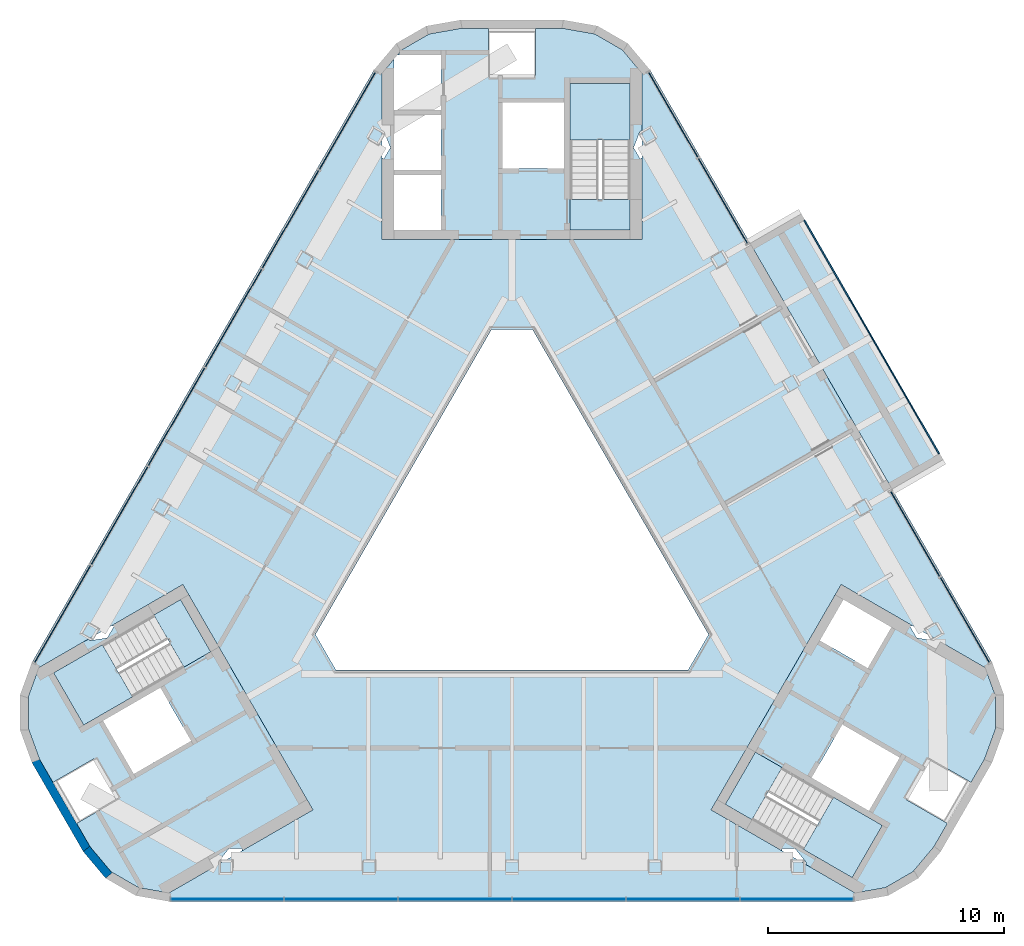
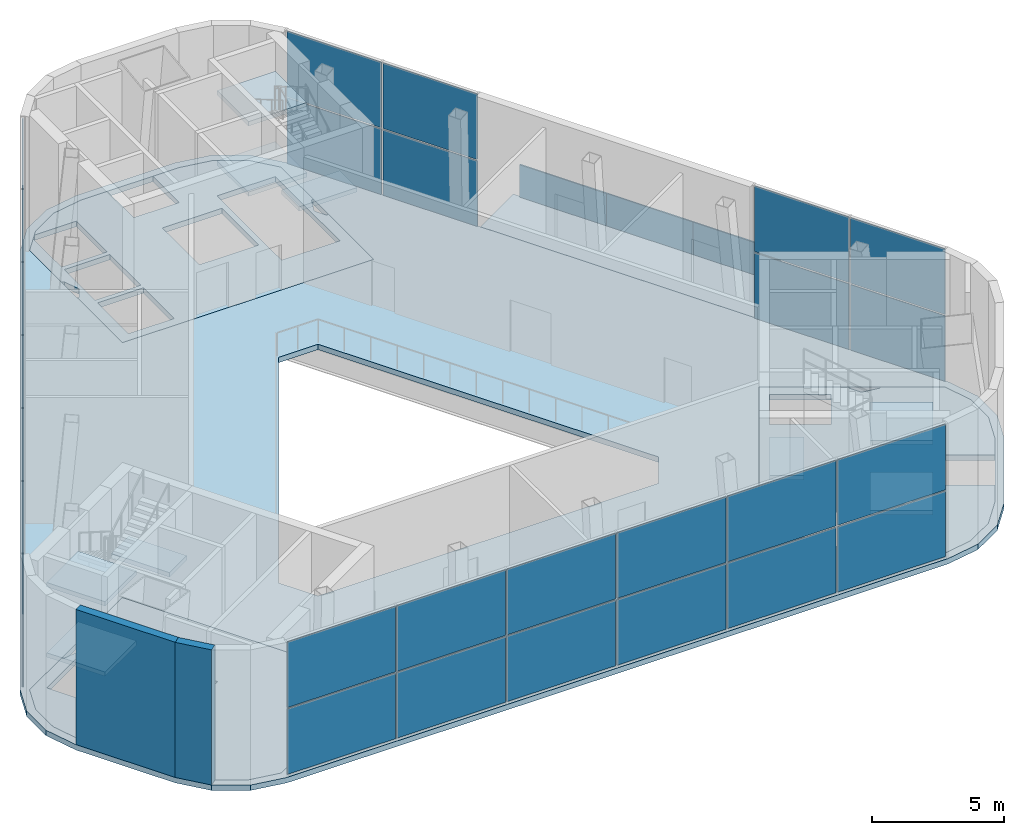
# One storey, part 6 of 12: 35 plates, 14 slabs, 2 walls, 7 elements without a shape of their own.
"""IFC4 building model written with IfcOpenShell, lengths in metres."""

import ifcopenshell
import ifcopenshell.guid

model = None  # the IFC model being written
_history = None  # IfcOwnerHistory: only IFC2X3 demands one
_inside = {}  # id of a spatial element -> (the spatial element, [elements in it])
_under = {}  # id of a project, library or spatial element -> (it, [spatial elements below it])
_declared = {}  # id of a project -> (the project, [libraries it declares])
_typed = {}  # id of a type object -> (the type object, [elements of that type])
_made_of = {}  # id of a material, layer set ... -> (it, [elements and type objects made of it])


def new_model(schema):
    """Start an empty IFC model of exactly this schema.

    Asked for "IFC4X3", IfcOpenShell would pick the latest addendum, in which some entities
    have other attributes; the version numbers below select the first issue.
    IFC2X3 requires an IfcOwnerHistory on every rooted entity: one is made here for all.
    """
    global model, _history
    if schema == "IFC4X3":
        model = ifcopenshell.file(schema_version=(4, 3, 0, 0))
    else:
        model = ifcopenshell.file(schema=schema)
    _inside.clear()
    _under.clear()
    _declared.clear()
    _typed.clear()
    _made_of.clear()
    _history = None
    if model.schema == "IFC2X3":
        org = make("IfcOrganization", Name="unknown")
        user = make(
            "IfcPersonAndOrganization",
            ThePerson=make("IfcPerson", FamilyName="unknown"),
            TheOrganization=org,
        )
        app = make(
            "IfcApplication",
            ApplicationDeveloper=org,
            Version="unknown",
            ApplicationFullName="unknown",
            ApplicationIdentifier="unknown",
        )
        _history = make(
            "IfcOwnerHistory",
            OwningUser=user,
            OwningApplication=app,
            ChangeAction="ADDED",
            CreationDate=0,
        )
    return model


def make(cls, **values):
    """One entity of the class cls with the attributes given. An attribute that is None is left unset."""
    return model.create_entity(
        cls, **{name: value for name, value in values.items() if value is not None}
    )


def rooted(cls, **values):
    """An entity with a GlobalId (a new one), such as an element, a storey or a relation."""
    return make(cls, GlobalId=ifcopenshell.guid.new(), OwnerHistory=_history, **values)


def si_unit(unit_type, name, prefix=None):
    """IfcSIUnit, for example si_unit("LENGTHUNIT", "METRE", prefix="MILLI")."""
    return make("IfcSIUnit", UnitType=unit_type, Prefix=prefix, Name=name)


def assignment(units):
    """IfcUnitAssignment: the units of a project."""
    return None if units is None else make("IfcUnitAssignment", Units=units)


def point(xyz):
    """IfcCartesianPoint."""
    return None if xyz is None else make("IfcCartesianPoint", Coordinates=xyz)


def direction(xyz):
    """IfcDirection."""
    return None if xyz is None else make("IfcDirection", DirectionRatios=xyz)


def frame(location, z_axis=None, x_axis=None):
    """IfcAxis2Placement3D, a coordinate frame: its origin and axes. An axis left out is left unset."""
    return make(
        "IfcAxis2Placement3D",
        Location=point(location),
        Axis=direction(z_axis),
        RefDirection=direction(x_axis),
    )


def frame_2d(location, x_axis=None):
    """IfcAxis2Placement2D, a coordinate frame in the plane: its origin and x axis."""
    return make(
        "IfcAxis2Placement2D", Location=point(location), RefDirection=direction(x_axis)
    )


def origin():
    """The frame at (0, 0, 0) with its axes left unset."""
    return frame((0.0, 0.0, 0.0))


def origin_2d():
    """The frame at (0, 0) in the plane with its x axis left unset."""
    return frame_2d((0.0, 0.0))


def place(relative_to, where):
    """IfcLocalPlacement: puts the frame where relative to a parent placement (None: the world)."""
    return make(
        "IfcLocalPlacement", PlacementRelTo=relative_to, RelativePlacement=where
    )


def context(
    kind, dimensions, precision=None, world=None, true_north=None, identifier=None
):
    """IfcGeometricRepresentationContext, for example the 3D "Model" context."""
    return make(
        "IfcGeometricRepresentationContext",
        ContextIdentifier=identifier,
        ContextType=kind,
        CoordinateSpaceDimension=dimensions,
        Precision=precision,
        WorldCoordinateSystem=world,
        TrueNorth=true_north,
    )


def subcontext(parent, identifier, kind, view, scale=None):
    """IfcGeometricRepresentationSubContext, for example "Body" below "Model"."""
    return make(
        "IfcGeometricRepresentationSubContext",
        ContextIdentifier=identifier,
        ContextType=kind,
        ParentContext=parent,
        TargetScale=scale,
        TargetView=view,
    )


def project(units=None, contexts=None):
    """IfcProject with its units and contexts."""
    return rooted(
        "IfcProject",
        Name="project",
        RepresentationContexts=contexts,
        UnitsInContext=assignment(units),
    )


def spatial(cls, under=None, at=None, **own):
    """A site, building, storey or space (cls), placed at a placement, below another one or the project."""
    s = rooted(cls, ObjectPlacement=at, **own)
    if under is not None:
        _under.setdefault(under.id(), (under, []))[1].append(s)
    return s


def polyline(points):
    """IfcPolyline through the points."""
    return make("IfcPolyline", Points=[point(p) for p in points])


def profile(cls, at=None, kind="AREA", **sizes):
    """A parametric profile (cls). Its sizes go by their IFC names, for example OverallWidth=200.0."""
    return make(cls, ProfileType=kind, Position=at, **sizes)


def rectangle(**sizes):
    """IfcRectangleProfileDef."""
    return profile("IfcRectangleProfileDef", **sizes)


def outline(outer, holes=None, kind="AREA"):
    """IfcArbitraryClosedProfileDef: a profile drawn as a closed curve; with holes, ...WithVoids."""
    if holes is None:
        return make("IfcArbitraryClosedProfileDef", ProfileType=kind, OuterCurve=outer)
    return make(
        "IfcArbitraryProfileDefWithVoids",
        ProfileType=kind,
        OuterCurve=outer,
        InnerCurves=holes,
    )


def extrude(swept, where, along, depth):
    """IfcExtrudedAreaSolid: the profile swept, set in the frame where, extruded along a direction by depth."""
    return make(
        "IfcExtrudedAreaSolid",
        SweptArea=swept,
        Position=where,
        ExtrudedDirection=direction(along),
        Depth=depth,
    )


def shape(context_of_items, identifier, shape_type, items):
    """IfcShapeRepresentation: the items that make up one representation, for example the "Body"."""
    return make(
        "IfcShapeRepresentation",
        ContextOfItems=context_of_items,
        RepresentationIdentifier=identifier,
        RepresentationType=shape_type,
        Items=items,
    )


def material(Name=None, Category=None):
    """IfcMaterial."""
    return make("IfcMaterial", Name=Name, Category=Category)


def layer(
    of_material, thickness, ventilated=None, Name=None, Category=None, Priority=None
):
    """IfcMaterialLayer: one layer of a wall or slab, of a material (None: an air gap)."""
    return make(
        "IfcMaterialLayer",
        Material=of_material,
        LayerThickness=thickness,
        IsVentilated=ventilated,
        Name=Name,
        Category=Category,
        Priority=Priority,
    )


def layer_set(layers, Name=None):
    """IfcMaterialLayerSet."""
    return make("IfcMaterialLayerSet", MaterialLayers=layers, LayerSetName=Name)


def made_of(thing, what):
    """Note that an element or type object is made of a material, layer set ...; save() writes the relation."""
    if what is not None:
        _made_of.setdefault(what.id(), (what, []))[1].append(thing)
    return thing


def type_object(cls, material=None, **own):
    """A type object (cls), such as IfcWallType, which elements share."""
    return made_of(rooted(cls, **own), material)


def element(
    cls,
    number,
    at=None,
    inside=None,
    cuts=None,
    type_object=None,
    material=None,
    context=None,
    identifier="Body",
    shape_type=None,
    held_by="IfcProductDefinitionShape",
    body=None,
    shapes=None,
    **own,
):
    """One element of the class cls, such as IfcWall. Its Tag is "e" and its number.

    at: its placement. inside: the storey or other place that contains it. cuts: it is an
    opening in that element (IfcRelVoidsElement). A single representation is given by context,
    identifier, shape_type and body (its items); several are given by shapes. held_by: the class
    of the entity that holds the representations. save() writes the other relations.
    """
    e = rooted(cls, Tag="e%d" % number, ObjectPlacement=at, **own)
    if body is not None:
        shapes = [shape(context, identifier, shape_type, body)]
    if shapes is not None:
        e.Representation = make(held_by, Representations=shapes)
    if inside is not None:
        _inside.setdefault(inside.id(), (inside, []))[1].append(e)
    if cuts is not None:
        rooted(
            "IfcRelVoidsElement", RelatingBuildingElement=cuts, RelatedOpeningElement=e
        )
    if type_object is not None:
        _typed.setdefault(type_object.id(), (type_object, []))[1].append(e)
    return made_of(e, material)


def aggregate(whole, parts):
    """IfcRelAggregates: a whole, such as a stair, and the parts it consists of."""
    return rooted("IfcRelAggregates", RelatingObject=whole, RelatedObjects=parts)


def save(model, path):
    """Write the relations noted so far, then the file.

    IfcRelAggregates (storeys below a building ...), IfcRelContainedInSpatialStructure (elements
    in a storey), IfcRelDefinesByType, IfcRelAssociatesMaterial and IfcRelDeclares: one each for
    every whole, place, type object, material and project.
    """
    for whole, parts in _under.values():
        aggregate(whole, parts)
    for where, things in _inside.values():
        rooted(
            "IfcRelContainedInSpatialStructure",
            RelatedElements=things,
            RelatingStructure=where,
        )
    for kind, things in _typed.values():
        rooted("IfcRelDefinesByType", RelatedObjects=things, RelatingType=kind)
    for what, things in _made_of.values():
        rooted("IfcRelAssociatesMaterial", RelatedObjects=things, RelatingMaterial=what)
    for by, libraries in _declared.values():
        rooted("IfcRelDeclares", RelatingContext=by, RelatedDefinitions=libraries)
    model.write(path)


model = new_model("IFC4")

# Units and contexts
model_context = context("Model", 3, precision=1e-05, world=origin(), true_north=direction((0.0, 1.0)))
body_context = subcontext(model_context, "Body", "Model", "MODEL_VIEW")
ifc_project = project(units=[si_unit("LENGTHUNIT", "METRE"), si_unit("AREAUNIT", "SQUARE_METRE"), si_unit("VOLUMEUNIT", "CUBIC_METRE"), si_unit("PLANEANGLEUNIT", "RADIAN"), si_unit("MASSUNIT", "GRAM", prefix="KILO")], contexts=[model_context])

# Site, building, storey
site_placement = place(None, origin())
site = spatial("IfcSite", under=ifc_project, at=site_placement, CompositionType="ELEMENT")
building_placement = place(site_placement, origin())
building = spatial("IfcBuilding", under=site, at=building_placement, Name="Apuvela Tower Hotel", CompositionType="ELEMENT")
storey_placement = place(building_placement, frame((0.0, 0.0, 331.800048828125)))
storey = spatial("IfcBuildingStorey", under=building, at=storey_placement, Name="L83", CompositionType="ELEMENT", Elevation=331.800048828125)

# Slabs
ifc_material_1 = material(Name="Concrete C50/60", Category="concrete")
ifc_layer_1 = layer(ifc_material_1, 0.25)
ifc_layer_set_1 = layer_set([ifc_layer_1], Name="COR-FLOOR-250")
slab_type_1 = type_object("IfcSlabType", Name="COR-FLOOR-250", PredefinedType="FLOOR", material=ifc_layer_set_1)
slab_1_placement = place(storey_placement, frame((0.0, 0.0, -0.25)))
element("IfcSlab", 1, at=slab_1_placement, inside=storey, type_object=slab_type_1, Name="Core floor N", PredefinedType="FLOOR", context=body_context, shape_type="SweptSolid", body=[
    extrude(outline(polyline([(5.42041015625, 16.310791015625), (5.1435546875, 16.7900390625), (5.406494140625, 17.46875), (5.5, 17.522705078125), (5.5, 19.933349609375), (4.6650390625, 20.928466796875), (3.5, 21.60107421875), (2.14453125, 21.840087890625), (1.0, 21.840087890625), (1.0, 19.840087890625), (-1.0, 19.840087890625), (-1.0, 21.840087890625), (-2.14453125, 21.840087890625), (-3.5, 21.60107421875), (-4.6650390625, 20.928466796875), (-4.840087890625, 20.719970703125), (-3.0, 20.719970703125), (-3.0, 18.3798828125), (-5.0, 18.3798828125), (-5.0, 20.529296875), (-5.5, 19.933349609375), (-5.5, 17.522705078125), (-5.406494140625, 17.46875), (-5.1435546875, 16.7900390625), (-5.42041015625, 16.310791015625), (-5.5, 16.356689453125), (-5.5, 12.89990234375), (5.5, 12.89990234375), (5.5, 16.356689453125), (5.42041015625, 16.310791015625)]), holes=[polyline([(-3.0, 13.300048828125), (-5.0, 13.300048828125), (-5.0, 15.639892578125), (-3.0, 15.639892578125), (-3.0, 13.300048828125)]), polyline([(-3.0, 15.840087890625), (-5.0, 15.840087890625), (-5.0, 18.179931640625), (-3.0, 18.179931640625), (-3.0, 15.840087890625)]), polyline([(5.0, 14.60595703125), (2.449951171875, 14.60595703125), (2.449951171875, 19.5), (5.0, 19.5), (5.0, 14.60595703125)]), polyline([(2.199951171875, 18.699951171875), (2.199951171875, 15.89990234375), (-0.39990234375, 15.89990234375), (-0.39990234375, 18.699951171875), (2.199951171875, 18.699951171875)])]), origin(), (0.0, 0.0, 1.0), 0.25),
])
slab_2_placement = place(storey_placement, frame((0.0, 0.0, -0.25)))
element("IfcSlab", 2, at=slab_2_placement, inside=storey, type_object=slab_type_1, Name="Core floor SW", PredefinedType="FLOOR", context=body_context, shape_type="SweptSolid", body=[
    extrude(outline(polyline([(-16.835693359375, -3.461181640625), (-17.1123046875, -3.9404296875), (-17.831787109375, -4.05224609375), (-17.92529296875, -3.998291015625), (-20.012939453125, -5.20361328125), (-20.45703125, -6.42431640625), (-20.45703125, -7.76953125), (-19.986328125, -9.062744140625), (-19.4140625, -10.053955078125), (-17.68212890625, -9.053955078125), (-16.68212890625, -10.7861328125), (-18.4140625, -11.7861328125), (-17.841796875, -12.77734375), (-16.95703125, -13.831787109375), (-15.7919921875, -14.50439453125), (-14.512939453125, -14.72998046875), (-12.425048828125, -13.5244140625), (-12.425048828125, -13.41650390625), (-11.96875, -12.849609375), (-11.415283203125, -12.849609375), (-11.415283203125, -12.94140625), (-8.421630859375, -11.213134765625), (-13.921630859375, -1.68701171875), (-16.915283203125, -3.415283203125), (-16.835693359375, -3.461181640625)]), holes=[polyline([(-13.874267578125, -5.18115234375), (-18.112548828125, -7.628173828125), (-19.387451171875, -5.419921875), (-15.149169921875, -2.972900390625), (-13.874267578125, -5.18115234375)]), polyline([(-13.56982421875, -8.29638671875), (-15.99462890625, -9.6962890625), (-17.294677734375, -7.444580078125), (-14.869873046875, -6.044677734375), (-13.56982421875, -8.29638671875)])]), origin(), (0.0, 0.0, 1.0), 0.25),
])
slab_3_placement = place(storey_placement, frame((0.0, 0.0, -0.25)))
element("IfcSlab", 3, at=slab_3_placement, inside=storey, type_object=slab_type_1, Name="Core floor SE", PredefinedType="FLOOR", context=body_context, shape_type="SweptSolid", body=[
    extrude(outline(polyline([(11.415283203125, -12.849609375), (11.96875, -12.849609375), (12.425048828125, -13.41650390625), (12.425048828125, -13.5244140625), (14.512939453125, -14.72998046875), (15.7919921875, -14.50439453125), (16.95703125, -13.831787109375), (17.841796875, -12.77734375), (18.4140625, -11.7861328125), (16.68212890625, -10.7861328125), (17.68212890625, -9.053955078125), (19.4140625, -10.053955078125), (19.986328125, -9.062744140625), (20.45703125, -7.76953125), (20.45703125, -6.42431640625), (20.012939453125, -5.20361328125), (17.92529296875, -3.998291015625), (17.831787109375, -4.05224609375), (17.1123046875, -3.9404296875), (16.835693359375, -3.461181640625), (16.915283203125, -3.415283203125), (13.921630859375, -1.68701171875), (8.421630859375, -11.213134765625), (11.415283203125, -12.94140625), (11.415283203125, -12.849609375)]), holes=[polyline([(14.01806640625, -2.31982421875), (16.044677734375, -3.489990234375), (15.044677734375, -5.221923828125), (13.01806640625, -4.052001953125), (14.01806640625, -2.31982421875)]), polyline([(10.149169921875, -11.633056640625), (11.42431640625, -9.4248046875), (15.66259765625, -11.871826171875), (14.387451171875, -14.080078125), (10.149169921875, -11.633056640625)]), polyline([(12.669921875, -9.855224609375), (13.9697265625, -7.603515625), (16.394775390625, -9.003662109375), (15.0947265625, -11.25537109375), (12.669921875, -9.855224609375)])]), origin(), (0.0, 0.0, 1.0), 0.25),
])

# Stair, slabs
stair_type = type_object("IfcStairType", Name="COR-STAIR-40R", PredefinedType="HALF_TURN_STAIR", material=ifc_material_1)
stair_1_placement = place(storey_placement, origin())
stair_1 = element("IfcStair", 4, at=stair_1_placement, inside=storey, type_object=stair_type, Name="L83 Exit stair ST1", PredefinedType="HALF_TURN_STAIR")
ifc_layer_2 = layer(ifc_material_1, 0.199951171875)
ifc_layer_set_2 = layer_set([ifc_layer_2], Name="COR-LANDING-200")
slab_type_2 = type_object("IfcSlabType", Name="COR-LANDING-200", PredefinedType="LANDING", material=ifc_layer_set_2)
slab_4_placement = place(storey_placement, frame((0.0, 0.0, 1.425048828125)))
slab_4 = element("IfcSlab", 5, at=slab_4_placement, type_object=slab_type_2, Name="ST1 landing 1", PredefinedType="LANDING", context=body_context, shape_type="SweptSolid", body=[
    extrude(outline(polyline([(5.0, 17.114013671875), (5.0, 19.5), (2.449951171875, 19.5), (2.449951171875, 17.114013671875), (5.0, 17.114013671875)])), origin(), (0.0, 0.0, 1.0), 0.199951171875),
])
slab_5_placement = place(storey_placement, frame((0.0, 0.0, 3.050048828125)))
slab_5 = element("IfcSlab", 6, at=slab_5_placement, type_object=slab_type_2, Name="ST1 landing 2", PredefinedType="LANDING", context=body_context, shape_type="SweptSolid", body=[
    extrude(outline(polyline([(5.0, 13.300048828125), (5.0, 14.60595703125), (2.449951171875, 14.60595703125), (2.449951171875, 13.300048828125), (5.0, 13.300048828125)])), origin(), (0.0, 0.0, 1.0), 0.199951171875),
])
slab_6_placement = place(storey_placement, frame((0.0, 0.0, 4.675048828125)))
slab_6 = element("IfcSlab", 7, at=slab_6_placement, type_object=slab_type_2, Name="ST1 landing 3", PredefinedType="LANDING", context=body_context, shape_type="SweptSolid", body=[
    extrude(outline(polyline([(5.0, 17.114013671875), (5.0, 19.5), (2.449951171875, 19.5), (2.449951171875, 17.114013671875), (5.0, 17.114013671875)])), origin(), (0.0, 0.0, 1.0), 0.199951171875),
])
aggregate(stair_1, [slab_4, slab_5, slab_6])

stair_2_placement = place(storey_placement, origin())
stair_2 = element("IfcStair", 8, at=stair_2_placement, inside=storey, type_object=stair_type, Name="L83 Exit stair ST2", PredefinedType="HALF_TURN_STAIR")
slab_7_placement = place(storey_placement, frame((0.0, 0.0, 1.425048828125)))
slab_7 = element("IfcSlab", 9, at=slab_7_placement, type_object=slab_type_2, Name="ST2 landing 1", PredefinedType="LANDING", context=body_context, shape_type="SweptSolid", body=[
    extrude(outline(polyline([(-17.321044921875, -4.226806640625), (-19.387451171875, -5.419921875), (-18.112548828125, -7.628173828125), (-16.046142578125, -6.435302734375), (-17.321044921875, -4.226806640625)])), origin(), (0.0, 0.0, 1.0), 0.199951171875),
])
slab_8_placement = place(storey_placement, frame((0.0, 0.0, 3.050048828125)))
slab_8 = element("IfcSlab", 10, at=slab_8_placement, type_object=slab_type_2, Name="ST2 landing 2", PredefinedType="LANDING", context=body_context, shape_type="SweptSolid", body=[
    extrude(outline(polyline([(-14.01806640625, -2.31982421875), (-15.149169921875, -2.972900390625), (-13.874267578125, -5.18115234375), (-12.7431640625, -4.5283203125), (-14.01806640625, -2.31982421875)])), origin(), (0.0, 0.0, 1.0), 0.199951171875),
])
slab_9_placement = place(storey_placement, frame((0.0, 0.0, 4.675048828125)))
slab_9 = element("IfcSlab", 11, at=slab_9_placement, type_object=slab_type_2, Name="ST2 landing 3", PredefinedType="LANDING", context=body_context, shape_type="SweptSolid", body=[
    extrude(outline(polyline([(-17.321044921875, -4.226806640625), (-19.387451171875, -5.419921875), (-18.112548828125, -7.628173828125), (-16.046142578125, -6.435302734375), (-17.321044921875, -4.226806640625)])), origin(), (0.0, 0.0, 1.0), 0.199951171875),
])
aggregate(stair_2, [slab_7, slab_8, slab_9])

stair_3_placement = place(storey_placement, origin())
stair_3 = element("IfcStair", 12, at=stair_3_placement, inside=storey, type_object=stair_type, Name="L83 Exit stair ST3", PredefinedType="HALF_TURN_STAIR")
slab_10_placement = place(storey_placement, frame((0.0, 0.0, 1.425048828125)))
slab_10 = element("IfcSlab", 13, at=slab_10_placement, type_object=slab_type_2, Name="ST3 landing 1", PredefinedType="LANDING", context=body_context, shape_type="SweptSolid", body=[
    extrude(outline(polyline([(12.321044921875, -12.88720703125), (14.387451171875, -14.080078125), (15.66259765625, -11.871826171875), (13.59619140625, -10.6787109375), (12.321044921875, -12.88720703125)])), origin(), (0.0, 0.0, 1.0), 0.199951171875),
])
slab_11_placement = place(storey_placement, frame((0.0, 0.0, 3.050048828125)))
slab_11 = element("IfcSlab", 14, at=slab_11_placement, type_object=slab_type_2, Name="ST3 landing 2", PredefinedType="LANDING", context=body_context, shape_type="SweptSolid", body=[
    extrude(outline(polyline([(9.01806640625, -10.980224609375), (10.149169921875, -11.633056640625), (11.424072265625, -9.4248046875), (10.293212890625, -8.771728515625), (9.01806640625, -10.980224609375)])), origin(), (0.0, 0.0, 1.0), 0.199951171875),
])
slab_12_placement = place(storey_placement, frame((0.0, 0.0, 4.675048828125)))
slab_12 = element("IfcSlab", 15, at=slab_12_placement, type_object=slab_type_2, Name="ST3 landing 3", PredefinedType="LANDING", context=body_context, shape_type="SweptSolid", body=[
    extrude(outline(polyline([(12.321044921875, -12.88720703125), (14.387451171875, -14.080078125), (15.66259765625, -11.871826171875), (13.59619140625, -10.6787109375), (12.321044921875, -12.88720703125)])), origin(), (0.0, 0.0, 1.0), 0.199951171875),
])
aggregate(stair_3, [slab_10, slab_11, slab_12])

# Curtain wall, plates
ifc_material_2 = material(Name="Aluminium 6063-T6, dark bronze anodised", Category="aluminium")
ifc_layer_3 = layer(ifc_material_2, 0.199951171875)
ifc_layer_set_3 = layer_set([ifc_layer_3], Name="ENV-CW-L")
curtain_wall_type = type_object("IfcCurtainWallType", Name="ENV-CW-L", PredefinedType="NOTDEFINED", material=ifc_layer_set_3)
curtain_wall_1_placement = place(storey_placement, origin())
curtain_wall_1 = element("IfcCurtainWall", 16, at=curtain_wall_1_placement, inside=storey, type_object=curtain_wall_type, Name="Curtain wall CW-L S L83", PredefinedType="NOTDEFINED")
ifc_material_3 = material(Name="Glass, dark tinted laminated insulated glazing unit", Category="glass")
ifc_layer_4 = layer(ifc_material_3, 0.0400390625)
ifc_layer_set_4 = layer_set([ifc_layer_4], Name="ENV-PANEL-IGU-40")
plate_type_1 = type_object("IfcPlateType", Name="ENV-PANEL-IGU-40", PredefinedType="CURTAIN_PANEL", material=ifc_layer_set_4)
plate_1_placement = place(storey_placement, frame((-12.039794921875, -14.993408203125, 0.06494140625), z_axis=(0.0, 0.0, 1.0), x_axis=(1.0, 0.0, 0.0)))
plate_1 = element("IfcPlate", 17, at=plate_1_placement, type_object=plate_type_1, Name="CW-L panel 1.1", PredefinedType="CURTAIN_PANEL", context=body_context, shape_type="SweptSolid", body=[
    extrude(rectangle(XDim=4.724853515625, YDim=0.0400390625, at=origin_2d()), origin(), (0.0, 0.0, 1.0), 3.027587890625),
])
plate_2_placement = place(storey_placement, frame((-12.039794921875, -14.993408203125, 3.1572265625), z_axis=(0.0, 0.0, 1.0), x_axis=(1.0, 0.0, 0.0)))
plate_2 = element("IfcPlate", 18, at=plate_2_placement, type_object=plate_type_1, Name="CW-L panel 1.2", PredefinedType="CURTAIN_PANEL", context=body_context, shape_type="SweptSolid", body=[
    extrude(rectangle(XDim=4.724853515625, YDim=0.0400390625, at=origin_2d()), origin(), (0.0, 0.0, 1.0), 3.027587890625),
])
plate_3_placement = place(storey_placement, frame((-7.233642578125, -14.993408203125, 0.06494140625), z_axis=(0.0, 0.0, 1.0), x_axis=(1.0, 0.0, 0.0)))
plate_3 = element("IfcPlate", 19, at=plate_3_placement, type_object=plate_type_1, Name="CW-L panel 2.1", PredefinedType="CURTAIN_PANEL", context=body_context, shape_type="SweptSolid", body=[
    extrude(rectangle(XDim=4.75732421875, YDim=0.0400390625, at=origin_2d()), origin(), (0.0, 0.0, 1.0), 3.027587890625),
])
plate_4_placement = place(storey_placement, frame((-7.233642578125, -14.993408203125, 3.1572265625), z_axis=(0.0, 0.0, 1.0), x_axis=(1.0, 0.0, 0.0)))
plate_4 = element("IfcPlate", 20, at=plate_4_placement, type_object=plate_type_1, Name="CW-L panel 2.2", PredefinedType="CURTAIN_PANEL", context=body_context, shape_type="SweptSolid", body=[
    extrude(rectangle(XDim=4.75732421875, YDim=0.0400390625, at=origin_2d()), origin(), (0.0, 0.0, 1.0), 3.027587890625),
])
plate_5_placement = place(storey_placement, frame((-2.4111328125, -14.993408203125, 0.06494140625), z_axis=(0.0, 0.0, 1.0), x_axis=(1.0, 0.0, 0.0)))
plate_5 = element("IfcPlate", 21, at=plate_5_placement, type_object=plate_type_1, Name="CW-L panel 3.1", PredefinedType="CURTAIN_PANEL", context=body_context, shape_type="SweptSolid", body=[
    extrude(rectangle(XDim=4.75732421875, YDim=0.0400390625, at=origin_2d()), origin(), (0.0, 0.0, 1.0), 3.027587890625),
])
plate_6_placement = place(storey_placement, frame((-2.4111328125, -14.993408203125, 3.1572265625), z_axis=(0.0, 0.0, 1.0), x_axis=(1.0, 0.0, 0.0)))
plate_6 = element("IfcPlate", 22, at=plate_6_placement, type_object=plate_type_1, Name="CW-L panel 3.2", PredefinedType="CURTAIN_PANEL", context=body_context, shape_type="SweptSolid", body=[
    extrude(rectangle(XDim=4.75732421875, YDim=0.0400390625, at=origin_2d()), origin(), (0.0, 0.0, 1.0), 3.027587890625),
])
plate_7_placement = place(storey_placement, frame((2.4111328125, -14.993408203125, 0.06494140625), z_axis=(0.0, 0.0, 1.0), x_axis=(1.0, 0.0, 0.0)))
plate_7 = element("IfcPlate", 23, at=plate_7_placement, type_object=plate_type_1, Name="CW-L panel 4.1", PredefinedType="CURTAIN_PANEL", context=body_context, shape_type="SweptSolid", body=[
    extrude(rectangle(XDim=4.75732421875, YDim=0.0400390625, at=origin_2d()), origin(), (0.0, 0.0, 1.0), 3.027587890625),
])
plate_8_placement = place(storey_placement, frame((2.4111328125, -14.993408203125, 3.1572265625), z_axis=(0.0, 0.0, 1.0), x_axis=(1.0, 0.0, 0.0)))
plate_8 = element("IfcPlate", 24, at=plate_8_placement, type_object=plate_type_1, Name="CW-L panel 4.2", PredefinedType="CURTAIN_PANEL", context=body_context, shape_type="SweptSolid", body=[
    extrude(rectangle(XDim=4.75732421875, YDim=0.0400390625, at=origin_2d()), origin(), (0.0, 0.0, 1.0), 3.027587890625),
])
plate_9_placement = place(storey_placement, frame((7.233642578125, -14.993408203125, 0.06494140625), z_axis=(0.0, 0.0, 1.0), x_axis=(1.0, 0.0, 0.0)))
plate_9 = element("IfcPlate", 25, at=plate_9_placement, type_object=plate_type_1, Name="CW-L panel 5.1", PredefinedType="CURTAIN_PANEL", context=body_context, shape_type="SweptSolid", body=[
    extrude(rectangle(XDim=4.75732421875, YDim=0.0400390625, at=origin_2d()), origin(), (0.0, 0.0, 1.0), 3.027587890625),
])
plate_10_placement = place(storey_placement, frame((7.233642578125, -14.993408203125, 3.1572265625), z_axis=(0.0, 0.0, 1.0), x_axis=(1.0, 0.0, 0.0)))
plate_10 = element("IfcPlate", 26, at=plate_10_placement, type_object=plate_type_1, Name="CW-L panel 5.2", PredefinedType="CURTAIN_PANEL", context=body_context, shape_type="SweptSolid", body=[
    extrude(rectangle(XDim=4.75732421875, YDim=0.0400390625, at=origin_2d()), origin(), (0.0, 0.0, 1.0), 3.027587890625),
])
plate_11_placement = place(storey_placement, frame((12.039794921875, -14.993408203125, 0.06494140625), z_axis=(0.0, 0.0, 1.0), x_axis=(1.0, 0.0, 0.0)))
plate_11 = element("IfcPlate", 27, at=plate_11_placement, type_object=plate_type_1, Name="CW-L panel 6.1", PredefinedType="CURTAIN_PANEL", context=body_context, shape_type="SweptSolid", body=[
    extrude(rectangle(XDim=4.724853515625, YDim=0.0400390625, at=origin_2d()), origin(), (0.0, 0.0, 1.0), 3.027587890625),
])
plate_12_placement = place(storey_placement, frame((12.039794921875, -14.993408203125, 3.1572265625), z_axis=(0.0, 0.0, 1.0), x_axis=(1.0, 0.0, 0.0)))
plate_12 = element("IfcPlate", 28, at=plate_12_placement, type_object=plate_type_1, Name="CW-L panel 6.2", PredefinedType="CURTAIN_PANEL", context=body_context, shape_type="SweptSolid", body=[
    extrude(rectangle(XDim=4.724853515625, YDim=0.0400390625, at=origin_2d()), origin(), (0.0, 0.0, 1.0), 3.027587890625),
])
aggregate(curtain_wall_1, [plate_1, plate_2, plate_3, plate_4, plate_5, plate_6, plate_7, plate_8, plate_9, plate_10, plate_11, plate_12])

curtain_wall_2_placement = place(storey_placement, origin())
curtain_wall_2 = element("IfcCurtainWall", 29, at=curtain_wall_2_placement, inside=storey, type_object=curtain_wall_type, Name="Curtain wall CW-L NE L83-1", PredefinedType="NOTDEFINED")
plate_13_placement = place(storey_placement, frame((19.151611328125, -3.18505859375, 0.06494140625), z_axis=(0.0, 0.0, 1.0), x_axis=(-0.499995412728, 0.866028052231, 0.0)))
plate_13 = element("IfcPlate", 30, at=plate_13_placement, type_object=plate_type_1, Name="CW-L panel 1.1", PredefinedType="CURTAIN_PANEL", context=body_context, shape_type="SweptSolid", body=[
    extrude(rectangle(XDim=4.13623046875, YDim=0.0400390625, at=origin_2d()), origin(), (0.0, 0.0, 1.0), 3.027587890625),
])
plate_14_placement = place(storey_placement, frame((19.151611328125, -3.18505859375, 3.1572265625), z_axis=(0.0, 0.0, 1.0), x_axis=(-0.499995412728, 0.866028052231, 0.0)))
plate_14 = element("IfcPlate", 31, at=plate_14_placement, type_object=plate_type_1, Name="CW-L panel 1.2", PredefinedType="CURTAIN_PANEL", context=body_context, shape_type="SweptSolid", body=[
    extrude(rectangle(XDim=4.13623046875, YDim=0.0400390625, at=origin_2d()), origin(), (0.0, 0.0, 1.0), 3.027587890625),
])
plate_15_placement = place(storey_placement, frame((17.051025390625, 0.453125, 0.06494140625), z_axis=(0.0, 0.0, 1.0), x_axis=(-0.499995412728, 0.866028052231, 0.0)))
plate_15 = element("IfcPlate", 32, at=plate_15_placement, type_object=plate_type_1, Name="CW-L panel 2.1", PredefinedType="CURTAIN_PANEL", context=body_context, shape_type="SweptSolid", body=[
    extrude(rectangle(XDim=4.13623046875, YDim=0.0400390625, at=origin_2d()), origin(), (0.0, 0.0, 1.0), 3.027587890625),
])
plate_16_placement = place(storey_placement, frame((17.051025390625, 0.453125, 3.1572265625), z_axis=(0.0, 0.0, 1.0), x_axis=(-0.499995412728, 0.866028052231, 0.0)))
plate_16 = element("IfcPlate", 33, at=plate_16_placement, type_object=plate_type_1, Name="CW-L panel 2.2", PredefinedType="CURTAIN_PANEL", context=body_context, shape_type="SweptSolid", body=[
    extrude(rectangle(XDim=4.13623046875, YDim=0.0400390625, at=origin_2d()), origin(), (0.0, 0.0, 1.0), 3.027587890625),
])
aggregate(curtain_wall_2, [plate_13, plate_14, plate_15, plate_16])

curtain_wall_3_placement = place(storey_placement, origin())
curtain_wall_3 = element("IfcCurtainWall", 34, at=curtain_wall_3_placement, inside=storey, type_object=curtain_wall_type, Name="Curtain wall CW-L NE L83-2", PredefinedType="NOTDEFINED")
plate_17_placement = place(storey_placement, frame((8.91796875, 14.5400390625, 0.06494140625), z_axis=(0.0, 0.0, 1.0), x_axis=(-0.500004270328, 0.866022938296, 0.0)))
plate_17 = element("IfcPlate", 35, at=plate_17_placement, type_object=plate_type_1, Name="CW-L panel 1.1", PredefinedType="CURTAIN_PANEL", context=body_context, shape_type="SweptSolid", body=[
    extrude(rectangle(XDim=4.13623046875, YDim=0.0400390625, at=origin_2d()), origin(), (0.0, 0.0, 1.0), 3.027587890625),
])
plate_18_placement = place(storey_placement, frame((8.91796875, 14.5400390625, 3.1572265625), z_axis=(0.0, 0.0, 1.0), x_axis=(-0.500004270328, 0.866022938296, 0.0)))
plate_18 = element("IfcPlate", 36, at=plate_18_placement, type_object=plate_type_1, Name="CW-L panel 1.2", PredefinedType="CURTAIN_PANEL", context=body_context, shape_type="SweptSolid", body=[
    extrude(rectangle(XDim=4.13623046875, YDim=0.0400390625, at=origin_2d()), origin(), (0.0, 0.0, 1.0), 3.027587890625),
])
plate_19_placement = place(storey_placement, frame((6.8173828125, 18.178466796875, 0.06494140625), z_axis=(0.0, 0.0, 1.0), x_axis=(-0.500004270328, 0.866022938296, 0.0)))
plate_19 = element("IfcPlate", 37, at=plate_19_placement, type_object=plate_type_1, Name="CW-L panel 2.1", PredefinedType="CURTAIN_PANEL", context=body_context, shape_type="SweptSolid", body=[
    extrude(rectangle(XDim=4.13623046875, YDim=0.0400390625, at=origin_2d()), origin(), (0.0, 0.0, 1.0), 3.027587890625),
])
plate_20_placement = place(storey_placement, frame((6.8173828125, 18.178466796875, 3.1572265625), z_axis=(0.0, 0.0, 1.0), x_axis=(-0.500004270328, 0.866022938296, 0.0)))
plate_20 = element("IfcPlate", 38, at=plate_20_placement, type_object=plate_type_1, Name="CW-L panel 2.2", PredefinedType="CURTAIN_PANEL", context=body_context, shape_type="SweptSolid", body=[
    extrude(rectangle(XDim=4.13623046875, YDim=0.0400390625, at=origin_2d()), origin(), (0.0, 0.0, 1.0), 3.027587890625),
])
aggregate(curtain_wall_3, [plate_17, plate_18, plate_19, plate_20])

curtain_wall_4_placement = place(storey_placement, origin())
curtain_wall_4 = element("IfcCurtainWall", 39, at=curtain_wall_4_placement, inside=storey, type_object=curtain_wall_type, Name="Curtain wall CW-L NW L83", PredefinedType="NOTDEFINED")
plate_21_placement = place(storey_placement, frame((-6.964599609375, 17.92333984375, 0.06494140625), z_axis=(0.0, 0.0, 1.0), x_axis=(-0.499999979776, -0.866025415461, 0.0)))
plate_21 = element("IfcPlate", 40, at=plate_21_placement, type_object=plate_type_1, Name="CW-L panel 1.1", PredefinedType="CURTAIN_PANEL", context=body_context, shape_type="SweptSolid", body=[
    extrude(rectangle(XDim=4.724853515625, YDim=0.0400390625, at=origin_2d()), origin(), (0.0, 0.0, 1.0), 3.027587890625),
])
plate_22_placement = place(storey_placement, frame((-6.964599609375, 17.92333984375, 3.1572265625), z_axis=(0.0, 0.0, 1.0), x_axis=(-0.499999979776, -0.866025415461, 0.0)))
plate_22 = element("IfcPlate", 41, at=plate_22_placement, type_object=plate_type_1, Name="CW-L panel 1.2", PredefinedType="CURTAIN_PANEL", context=body_context, shape_type="SweptSolid", body=[
    extrude(rectangle(XDim=4.724853515625, YDim=0.0400390625, at=origin_2d()), origin(), (0.0, 0.0, 1.0), 3.027587890625),
])
plate_23_placement = place(storey_placement, frame((-9.36767578125, 13.76123046875, 0.06494140625), z_axis=(0.0, 0.0, 1.0), x_axis=(-0.499999979776, -0.866025415461, 0.0)))
plate_23 = element("IfcPlate", 42, at=plate_23_placement, type_object=plate_type_1, Name="CW-L panel 2.1", PredefinedType="CURTAIN_PANEL", context=body_context, shape_type="SweptSolid", body=[
    extrude(rectangle(XDim=4.75732421875, YDim=0.0400390625, at=origin_2d()), origin(), (0.0, 0.0, 1.0), 3.027587890625),
])
plate_24_placement = place(storey_placement, frame((-9.36767578125, 13.76123046875, 3.1572265625), z_axis=(0.0, 0.0, 1.0), x_axis=(-0.499999979776, -0.866025415461, 0.0)))
plate_24 = element("IfcPlate", 43, at=plate_24_placement, type_object=plate_type_1, Name="CW-L panel 2.2", PredefinedType="CURTAIN_PANEL", context=body_context, shape_type="SweptSolid", body=[
    extrude(rectangle(XDim=4.75732421875, YDim=0.0400390625, at=origin_2d()), origin(), (0.0, 0.0, 1.0), 3.027587890625),
])
plate_25_placement = place(storey_placement, frame((-11.779052734375, 9.584716796875, 0.06494140625), z_axis=(0.0, 0.0, 1.0), x_axis=(-0.499999979776, -0.866025415461, 0.0)))
plate_25 = element("IfcPlate", 44, at=plate_25_placement, type_object=plate_type_1, Name="CW-L panel 3.1", PredefinedType="CURTAIN_PANEL", context=body_context, shape_type="SweptSolid", body=[
    extrude(rectangle(XDim=4.75732421875, YDim=0.0400390625, at=origin_2d()), origin(), (0.0, 0.0, 1.0), 3.027587890625),
])
plate_26_placement = place(storey_placement, frame((-11.779052734375, 9.584716796875, 3.1572265625), z_axis=(0.0, 0.0, 1.0), x_axis=(-0.499999979776, -0.866025415461, 0.0)))
plate_26 = element("IfcPlate", 45, at=plate_26_placement, type_object=plate_type_1, Name="CW-L panel 3.2", PredefinedType="CURTAIN_PANEL", context=body_context, shape_type="SweptSolid", body=[
    extrude(rectangle(XDim=4.75732421875, YDim=0.0400390625, at=origin_2d()), origin(), (0.0, 0.0, 1.0), 3.027587890625),
])
plate_27_placement = place(storey_placement, frame((-14.190185546875, 5.408447265625, 0.06494140625), z_axis=(0.0, 0.0, 1.0), x_axis=(-0.499999979776, -0.866025415461, 0.0)))
plate_27 = element("IfcPlate", 46, at=plate_27_placement, type_object=plate_type_1, Name="CW-L panel 4.1", PredefinedType="CURTAIN_PANEL", context=body_context, shape_type="SweptSolid", body=[
    extrude(rectangle(XDim=4.75732421875, YDim=0.0400390625, at=origin_2d()), origin(), (0.0, 0.0, 1.0), 3.027587890625),
])
plate_28_placement = place(storey_placement, frame((-14.190185546875, 5.408447265625, 3.1572265625), z_axis=(0.0, 0.0, 1.0), x_axis=(-0.499999979776, -0.866025415461, 0.0)))
plate_28 = element("IfcPlate", 47, at=plate_28_placement, type_object=plate_type_1, Name="CW-L panel 4.2", PredefinedType="CURTAIN_PANEL", context=body_context, shape_type="SweptSolid", body=[
    extrude(rectangle(XDim=4.75732421875, YDim=0.0400390625, at=origin_2d()), origin(), (0.0, 0.0, 1.0), 3.027587890625),
])
plate_29_placement = place(storey_placement, frame((-16.601318359375, 1.232177734375, 0.06494140625), z_axis=(0.0, 0.0, 1.0), x_axis=(-0.499999979776, -0.866025415461, 0.0)))
plate_29 = element("IfcPlate", 48, at=plate_29_placement, type_object=plate_type_1, Name="CW-L panel 5.1", PredefinedType="CURTAIN_PANEL", context=body_context, shape_type="SweptSolid", body=[
    extrude(rectangle(XDim=4.75732421875, YDim=0.0400390625, at=origin_2d()), origin(), (0.0, 0.0, 1.0), 3.027587890625),
])
plate_30_placement = place(storey_placement, frame((-16.601318359375, 1.232177734375, 3.1572265625), z_axis=(0.0, 0.0, 1.0), x_axis=(-0.499999979776, -0.866025415461, 0.0)))
plate_30 = element("IfcPlate", 49, at=plate_30_placement, type_object=plate_type_1, Name="CW-L panel 5.2", PredefinedType="CURTAIN_PANEL", context=body_context, shape_type="SweptSolid", body=[
    extrude(rectangle(XDim=4.75732421875, YDim=0.0400390625, at=origin_2d()), origin(), (0.0, 0.0, 1.0), 3.027587890625),
])
plate_31_placement = place(storey_placement, frame((-19.00439453125, -2.93017578125, 0.06494140625), z_axis=(0.0, 0.0, 1.0), x_axis=(-0.499999979776, -0.866025415461, 0.0)))
plate_31 = element("IfcPlate", 50, at=plate_31_placement, type_object=plate_type_1, Name="CW-L panel 6.1", PredefinedType="CURTAIN_PANEL", context=body_context, shape_type="SweptSolid", body=[
    extrude(rectangle(XDim=4.724853515625, YDim=0.0400390625, at=origin_2d()), origin(), (0.0, 0.0, 1.0), 3.027587890625),
])
plate_32_placement = place(storey_placement, frame((-19.00439453125, -2.93017578125, 3.1572265625), z_axis=(0.0, 0.0, 1.0), x_axis=(-0.499999979776, -0.866025415461, 0.0)))
plate_32 = element("IfcPlate", 51, at=plate_32_placement, type_object=plate_type_1, Name="CW-L panel 6.2", PredefinedType="CURTAIN_PANEL", context=body_context, shape_type="SweptSolid", body=[
    extrude(rectangle(XDim=4.724853515625, YDim=0.0400390625, at=origin_2d()), origin(), (0.0, 0.0, 1.0), 3.027587890625),
])
aggregate(curtain_wall_4, [plate_21, plate_22, plate_23, plate_24, plate_25, plate_26, plate_27, plate_28, plate_29, plate_30, plate_31, plate_32])

# Slab
ifc_material_4 = material(Name="Concrete C40/50, waterproof", Category="concrete")
ifc_layer_5 = layer(ifc_material_4, 0.25)
ifc_layer_set_5 = layer_set([ifc_layer_5], Name="ENV-POOL-BASE-250")
slab_type_3 = type_object("IfcSlabType", Name="ENV-POOL-BASE-250", PredefinedType="FLOOR", material=ifc_layer_set_5)
slab_13_placement = place(storey_placement, frame((0.0, 0.0, -0.25)))
element("IfcSlab", 52, at=slab_13_placement, inside=storey, type_object=slab_type_3, Name="Sky pool base slab", PredefinedType="FLOOR", context=body_context, shape_type="SweptSolid", body=[
    extrude(outline(polyline([(16.0712890625, 2.3505859375), (10.0712890625, 12.742919921875), (12.236083984375, 13.992919921875), (18.236083984375, 3.6005859375), (16.0712890625, 2.3505859375)])), origin(), (0.0, 0.0, 1.0), 0.25),
])

# Plates
ifc_material_5 = material(Name="Glass, low-iron laminated structural glass, heat strengthened", Category="glass")
ifc_layer_6 = layer(ifc_material_5, 0.06005859375)
ifc_layer_set_6 = layer_set([ifc_layer_6], Name="ENV-POOL-GLASS-60")
plate_type_2 = type_object("IfcPlateType", Name="ENV-POOL-GLASS-60", PredefinedType="SHEET", material=ifc_layer_set_6)
for number, where, z_axis, x_axis, name in (
    (53, (17.1103515625, 5.49072265625, 0.0), (0.0, 0.0, 1.0), (-0.5, 0.866025403784, 0.0), "Sky pool glass edge 1"),
    (54, (15.210205078125, 8.781494140625, 0.0), (0.0, 0.0, 1.0), (-0.5, 0.866025403784, 0.0), "Sky pool glass edge 2"),
    (55, (13.310302734375, 12.072509765625, 0.0), (0.0, 0.0, 1.0), (-0.5, 0.866025403784, 0.0), "Sky pool glass edge 3"),
):
    element("IfcPlate", number, at=place(storey_placement, frame(where, z_axis=z_axis, x_axis=x_axis)), inside=storey, type_object=plate_type_2, Name=name, PredefinedType="SHEET", context=body_context, shape_type="SweptSolid", body=[
        extrude(rectangle(XDim=3.800048828125, YDim=0.06005859375, at=origin_2d()), origin(), (0.0, 0.0, 1.0), 1.5),
    ])

# Slab
ifc_material_6 = material(Name="Concrete C35/45", Category="concrete")
ifc_layer_7 = layer(ifc_material_6, 0.25)
ifc_layer_set_7 = layer_set([ifc_layer_7], Name="STR-SLAB 250 floor Concrete C35/45")
slab_type_4 = type_object("IfcSlabType", Name="STR-SLAB 250 floor Concrete C35/45", PredefinedType="FLOOR", material=ifc_layer_set_7)
slab_14_placement = place(storey_placement, frame((0.0, 0.0, -0.25)))
element("IfcSlab", 56, at=slab_14_placement, inside=storey, type_object=slab_type_4, Name="Floor slab S5 L83", PredefinedType="FLOOR", context=body_context, shape_type="SweptSolid", body=[
    extrude(outline(polyline([(5.83740234375, 20.07568359375), (4.8935546875, 21.20068359375), (3.62158203125, 21.93505859375), (2.17529296875, 22.190185546875), (-2.17529296875, 22.190185546875), (-3.62158203125, 21.93505859375), (-4.8935546875, 21.20068359375), (-5.83740234375, 20.07568359375), (-20.3046875, -4.982421875), (-20.80712890625, -6.362548828125), (-20.80712890625, -7.831298828125), (-20.3046875, -9.211181640625), (-18.129638671875, -12.978759765625), (-17.185546875, -14.10400390625), (-15.913818359375, -14.83837890625), (-14.46728515625, -15.09326171875), (14.46728515625, -15.09326171875), (15.913818359375, -14.83837890625), (17.185546875, -14.10400390625), (18.129638671875, -12.978759765625), (20.3046875, -9.211181640625), (20.80712890625, -7.831298828125), (20.80712890625, -6.362548828125), (20.3046875, -4.982421875), (5.83740234375, 20.07568359375)]), holes=[polyline([(0.865966796875, 9.10009765625), (-0.865966796875, 9.10009765625), (-8.313720703125, -3.800048828125), (-7.44775390625, -5.300048828125), (7.44775390625, -5.300048828125), (8.313720703125, -3.800048828125), (0.865966796875, 9.10009765625)]), polyline([(-5.5, 12.89990234375), (-5.5, 19.933349609375), (-4.6650390625, 20.928466796875), (-3.5, 21.60107421875), (-2.14453125, 21.840087890625), (2.14453125, 21.840087890625), (3.5, 21.60107421875), (4.6650390625, 20.928466796875), (5.5, 19.933349609375), (5.5, 12.89990234375), (-5.5, 12.89990234375)]), polyline([(-8.421630859375, -11.213134765625), (-14.512939453125, -14.72998046875), (-15.7919921875, -14.50439453125), (-16.95703125, -13.831787109375), (-17.841796875, -12.77734375), (-19.986328125, -9.062744140625), (-20.45703125, -7.76953125), (-20.45703125, -6.42431640625), (-20.012939453125, -5.20361328125), (-13.921630859375, -1.68701171875), (-8.421630859375, -11.213134765625)]), polyline([(13.921630859375, -1.68701171875), (20.012939453125, -5.20361328125), (20.45703125, -6.42431640625), (20.45703125, -7.76953125), (19.986328125, -9.062744140625), (17.841796875, -12.77734375), (16.95703125, -13.831787109375), (15.7919921875, -14.50439453125), (14.512939453125, -14.72998046875), (8.421630859375, -11.213134765625), (13.921630859375, -1.68701171875)])]), origin(), (0.0, 0.0, 1.0), 0.25),
])

# Walls
ifc_material_7 = material(Name="Concrete C40/50, dark pigmented precast panel", Category="concrete")
ifc_layer_8 = layer(ifc_material_7, 0.35009765625)
ifc_layer_set_8 = layer_set([ifc_layer_8], Name="ENV-WALL-350")
wall_type = type_object("IfcWallType", Name="ENV-WALL-350", PredefinedType="SOLIDWALL", material=ifc_layer_set_8)
wall_1_placement = place(storey_placement, frame((-20.1533203125, -9.123779296875, 0.0), z_axis=(0.0, 0.0, 1.0), x_axis=(0.500013916395, -0.866017369001, 0.0)))
element("IfcWall", 57, at=wall_1_placement, inside=storey, type_object=wall_type, Name="External wall L83-11", PredefinedType="SOLIDWALL", context=body_context, shape_type="SweptSolid", body=[
    extrude(rectangle(XDim=4.3505859375, YDim=0.35009765625, at=frame_2d((2.17529296875, 0.0))), origin(), (0.0, 0.0, 1.0), 6.25),
])
wall_2_placement = place(storey_placement, frame((-17.99560546875, -12.866455078125, 0.0), z_axis=(0.0, 0.0, 1.0), x_axis=(0.642829448094, -0.766009334579, 0.0)))
element("IfcWall", 58, at=wall_2_placement, inside=storey, type_object=wall_type, Name="External wall L83-12", PredefinedType="SOLIDWALL", context=body_context, shape_type="SweptSolid", body=[
    extrude(rectangle(XDim=1.46875, YDim=0.35009765625, at=frame_2d((0.734375, 0.0))), origin(), (0.0, 0.0, 1.0), 6.25),
])

save(model, "model.ifc")
